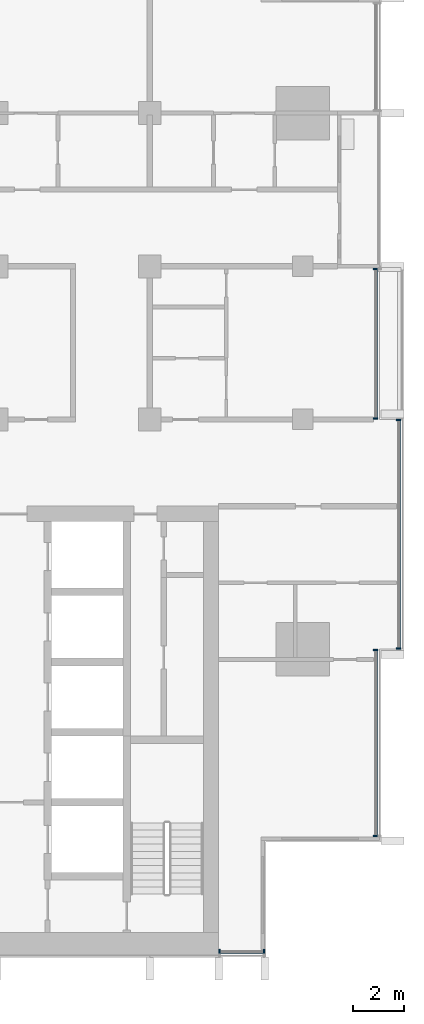
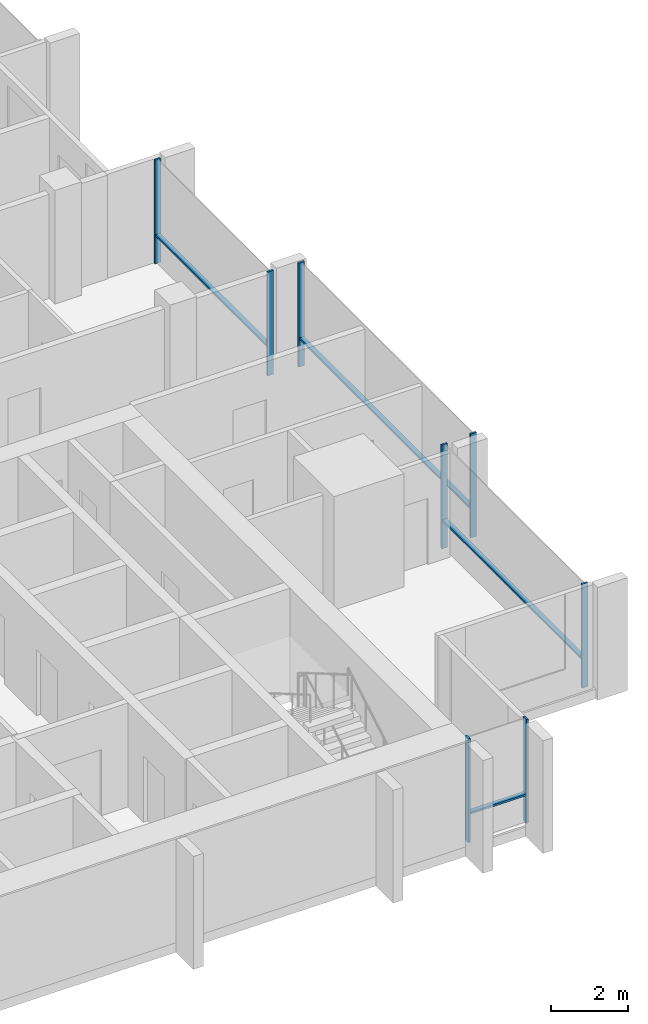
# One storey, part 3 of 16: 12 members, 4 elements without a shape of their own.
"""IFC4 building model written with IfcOpenShell, lengths in metres."""

from ifc_helpers import new_model, si_unit, direction, frame, origin, origin_2d, place, context, subcontext, project, spatial, rectangle, extrude, material, material_profile, profile_set, type_object, element, aggregate, save


model = new_model("IFC4")

# Units and contexts
model_context = context("Model", 3, precision=1e-05, world=origin(), true_north=direction((0.0, 1.0)))
body_context = subcontext(model_context, "Body", "Model", "MODEL_VIEW")
ifc_project = project(units=[si_unit("LENGTHUNIT", "METRE"), si_unit("AREAUNIT", "SQUARE_METRE"), si_unit("VOLUMEUNIT", "CUBIC_METRE"), si_unit("PLANEANGLEUNIT", "RADIAN"), si_unit("MASSUNIT", "GRAM", prefix="KILO")], contexts=[model_context])

# Site, building, storey
site_placement = place(None, origin())
site = spatial("IfcSite", under=ifc_project, at=site_placement, CompositionType="ELEMENT")
building_placement = place(site_placement, origin())
building = spatial("IfcBuilding", under=site, at=building_placement, Name="Finial Court Residences", CompositionType="ELEMENT")
storey_placement = place(building_placement, frame((0.0, 0.0, 237.5)))
storey = spatial("IfcBuildingStorey", under=building, at=storey_placement, Name="L60", CompositionType="ELEMENT", Elevation=237.5)

# Curtain wall, members
ifc_material = material(Name="Bronze anodised aluminium", Category="aluminium")
curtain_wall_type = type_object("IfcCurtainWallType", Name="Unitised curtain wall, upper zones", PredefinedType="NOTDEFINED", material=ifc_material)
curtain_wall_1_placement = place(storey_placement, origin())
curtain_wall_1 = element("IfcCurtainWall", 1, at=curtain_wall_1_placement, inside=storey, type_object=curtain_wall_type, Name="E-L60-CW-E4", PredefinedType="NOTDEFINED")
ifc_material_profile_1 = material_profile(ifc_material, rectangle(XDim=0.175048828125, YDim=0.06005859375, at=origin_2d()), Name="CW2 mullion 60 x 175")
ifc_profile_set_1 = profile_set([ifc_material_profile_1], Name="Bronze anodised aluminium")
member_type_1 = type_object("IfcMemberType", Name="CW2 mullion 60 x 175", PredefinedType="MULLION", material=ifc_profile_set_1)
member_1_placement = place(storey_placement, frame((19.35009765625, -20.820068359375, 0.0), z_axis=(0.0, 0.0, 1.0), x_axis=(-1.0, 0.0, 0.0)))
member_1 = element("IfcMember", 2, at=member_1_placement, type_object=member_type_1, Name="CW2 mullion 1", PredefinedType="MULLION", context=body_context, shape_type="SweptSolid", body=[
    extrude(rectangle(XDim=0.175048828125, YDim=0.06005859375, at=origin_2d()), origin(), (0.0, 0.0, 1.0), 3.300048828125),
])
member_2_placement = place(storey_placement, frame((19.35009765625, -13.530029296875, 0.0), z_axis=(0.0, 0.0, 1.0), x_axis=(-1.0, 0.0, 0.0)))
member_2 = element("IfcMember", 3, at=member_2_placement, type_object=member_type_1, Name="CW2 mullion 2", PredefinedType="MULLION", context=body_context, shape_type="SweptSolid", body=[
    extrude(rectangle(XDim=0.175048828125, YDim=0.06005859375, at=origin_2d()), origin(), (0.0, 0.0, 1.0), 3.300048828125),
])

curtain_wall_2_placement = place(storey_placement, origin())
curtain_wall_2 = element("IfcCurtainWall", 4, at=curtain_wall_2_placement, inside=storey, type_object=curtain_wall_type, Name="E-L60-CW-E5", PredefinedType="NOTDEFINED")
member_3_placement = place(storey_placement, frame((20.25, -13.469970703125, 0.0), z_axis=(0.0, 0.0, 1.0), x_axis=(-1.0, 0.0, 0.0)))
member_3 = element("IfcMember", 5, at=member_3_placement, type_object=member_type_1, Name="CW2 mullion 1", PredefinedType="MULLION", context=body_context, shape_type="SweptSolid", body=[
    extrude(rectangle(XDim=0.175048828125, YDim=0.06005859375, at=origin_2d()), origin(), (0.0, 0.0, 1.0), 3.300048828125),
])
member_4_placement = place(storey_placement, frame((20.25, -4.530029296875, 0.0), z_axis=(0.0, 0.0, 1.0), x_axis=(-1.0, 0.0, 0.0)))
member_4 = element("IfcMember", 6, at=member_4_placement, type_object=member_type_1, Name="CW2 mullion 2", PredefinedType="MULLION", context=body_context, shape_type="SweptSolid", body=[
    extrude(rectangle(XDim=0.175048828125, YDim=0.06005859375, at=origin_2d()), origin(), (0.0, 0.0, 1.0), 3.300048828125),
])

curtain_wall_3_placement = place(storey_placement, origin())
curtain_wall_3 = element("IfcCurtainWall", 7, at=curtain_wall_3_placement, inside=storey, type_object=curtain_wall_type, Name="E-L60-CW-E6", PredefinedType="NOTDEFINED")
member_5_placement = place(storey_placement, frame((19.35009765625, -4.469970703125, 0.0), z_axis=(0.0, 0.0, 1.0), x_axis=(-1.0, 0.0, 0.0)))
member_5 = element("IfcMember", 8, at=member_5_placement, type_object=member_type_1, Name="CW2 mullion 1", PredefinedType="MULLION", context=body_context, shape_type="SweptSolid", body=[
    extrude(rectangle(XDim=0.175048828125, YDim=0.06005859375, at=origin_2d()), origin(), (0.0, 0.0, 1.0), 3.300048828125),
])
member_6_placement = place(storey_placement, frame((19.35009765625, 1.39501953125, 0.0), z_axis=(0.0, 0.0, 1.0), x_axis=(-1.0, 0.0, 0.0)))
member_6 = element("IfcMember", 9, at=member_6_placement, type_object=member_type_1, Name="CW2 mullion 2", PredefinedType="MULLION", context=body_context, shape_type="SweptSolid", body=[
    extrude(rectangle(XDim=0.175048828125, YDim=0.06005859375, at=origin_2d()), origin(), (0.0, 0.0, 1.0), 3.300048828125),
])

curtain_wall_4_placement = place(storey_placement, origin())
curtain_wall_4 = element("IfcCurtainWall", 10, at=curtain_wall_4_placement, inside=storey, type_object=curtain_wall_type, Name="E-L60-CW-S9", PredefinedType="NOTDEFINED")
member_7_placement = place(storey_placement, frame((13.22998046875, -25.35009765625, 0.0), z_axis=(0.0, 0.0, 1.0), x_axis=(0.0, 1.0, 0.0)))
member_7 = element("IfcMember", 11, at=member_7_placement, type_object=member_type_1, Name="CW2 mullion 1", PredefinedType="MULLION", context=body_context, shape_type="SweptSolid", body=[
    extrude(rectangle(XDim=0.175048828125, YDim=0.06005859375, at=origin_2d()), origin(), (0.0, 0.0, 1.0), 3.300048828125),
])
member_8_placement = place(storey_placement, frame((14.969970703125, -25.35009765625, 0.0), z_axis=(0.0, 0.0, 1.0), x_axis=(0.0, 1.0, 0.0)))
member_8 = element("IfcMember", 12, at=member_8_placement, type_object=member_type_1, Name="CW2 mullion 2", PredefinedType="MULLION", context=body_context, shape_type="SweptSolid", body=[
    extrude(rectangle(XDim=0.175048828125, YDim=0.06005859375, at=origin_2d()), origin(), (0.0, 0.0, 1.0), 3.300048828125),
])

# Member
ifc_material_profile_2 = material_profile(ifc_material, rectangle(XDim=0.139892578125, YDim=0.06005859375, at=origin_2d()), Name="CW2 transom 60 x 140")
ifc_profile_set_2 = profile_set([ifc_material_profile_2], Name="Bronze anodised aluminium")
member_type_2 = type_object("IfcMemberType", Name="CW2 transom 60 x 140", PredefinedType="USERDEFINED", material=ifc_profile_set_2)
member_9_placement = place(storey_placement, frame((19.35009765625, -20.7900390625, 0.89990234375), z_axis=(0.0, 1.0, 0.0), x_axis=(-1.0, 0.0, 0.0)))
member_9 = element("IfcMember", 13, at=member_9_placement, type_object=member_type_2, Name="CW2 transom 1.1", ObjectType="TRANSOM", PredefinedType="USERDEFINED", context=body_context, shape_type="SweptSolid", body=[
    extrude(rectangle(XDim=0.139892578125, YDim=0.06005859375, at=origin_2d()), origin(), (0.0, 0.0, 1.0), 7.22998046875),
])

aggregate(curtain_wall_1, [member_1, member_2, member_9])

member_10_placement = place(storey_placement, frame((20.25, -13.43994140625, 0.89990234375), z_axis=(0.0, 1.0, 0.0), x_axis=(-1.0, 0.0, 0.0)))
member_10 = element("IfcMember", 14, at=member_10_placement, type_object=member_type_2, Name="CW2 transom 1.1", ObjectType="TRANSOM", PredefinedType="USERDEFINED", context=body_context, shape_type="SweptSolid", body=[
    extrude(rectangle(XDim=0.139892578125, YDim=0.06005859375, at=origin_2d()), origin(), (0.0, 0.0, 1.0), 8.8798828125),
])

aggregate(curtain_wall_2, [member_3, member_4, member_10])

member_11_placement = place(storey_placement, frame((19.35009765625, -4.43994140625, 0.89990234375), z_axis=(0.0, 1.0, 0.0), x_axis=(-1.0, 0.0, 0.0)))
member_11 = element("IfcMember", 15, at=member_11_placement, type_object=member_type_2, Name="CW2 transom 1.1", ObjectType="TRANSOM", PredefinedType="USERDEFINED", context=body_context, shape_type="SweptSolid", body=[
    extrude(rectangle(XDim=0.139892578125, YDim=0.06005859375, at=origin_2d()), origin(), (0.0, 0.0, 1.0), 5.804931640625),
])

aggregate(curtain_wall_3, [member_5, member_6, member_11])

member_12_placement = place(storey_placement, frame((13.260009765625, -25.35009765625, 0.89990234375), z_axis=(1.0, 0.0, 0.0), x_axis=(0.0, 1.0, 0.0)))
member_12 = element("IfcMember", 16, at=member_12_placement, type_object=member_type_2, Name="CW2 transom 1.1", ObjectType="TRANSOM", PredefinedType="USERDEFINED", context=body_context, shape_type="SweptSolid", body=[
    extrude(rectangle(XDim=0.139892578125, YDim=0.06005859375, at=origin_2d()), origin(), (0.0, 0.0, 1.0), 1.679931640625),
])

aggregate(curtain_wall_4, [member_7, member_8, member_12])

save(model, "model.ifc")
